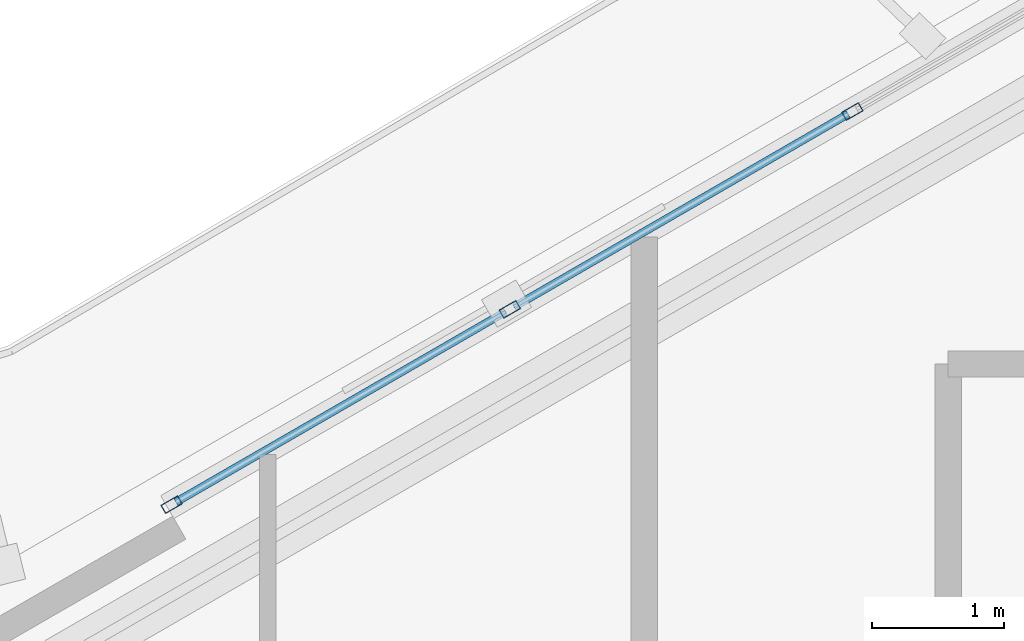
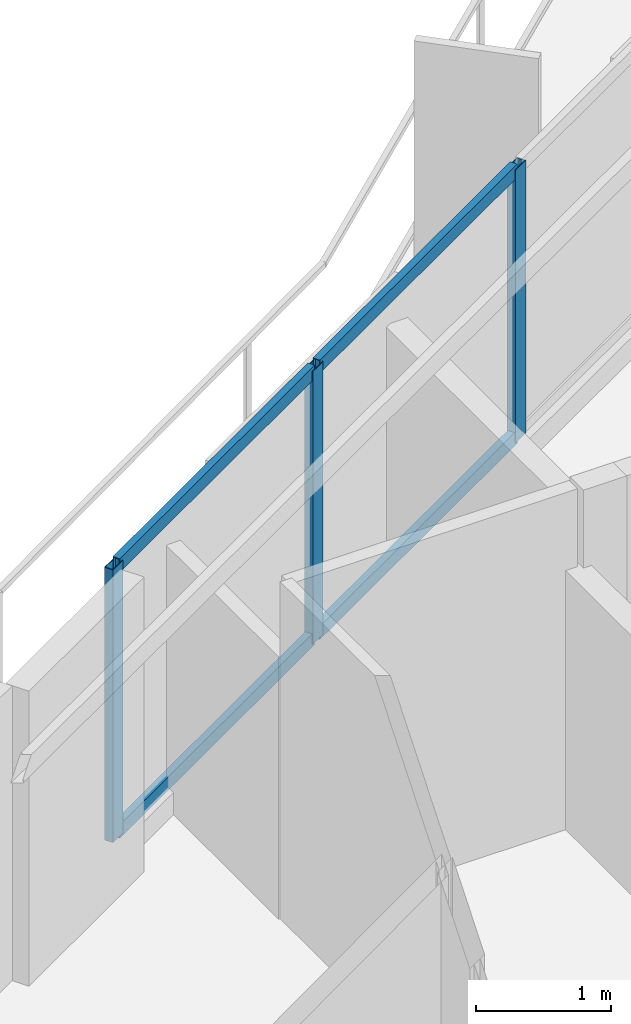
# One storey, part 7 of 18: 7 members, 1 element without a shape of its own.
"""IFC4 building model written with IfcOpenShell, lengths in metres."""

from ifc_helpers import new_model, si_unit, direction, frame, origin, origin_2d, place, context, subcontext, project, spatial, hollow_rectangle, extrude, material, layer, layer_set, material_profile, profile_set, type_object, element, aggregate, save


model = new_model("IFC4")

# Units and contexts
model_context = context("Model", 3, precision=1e-05, world=origin(), true_north=direction((0.0, 1.0)))
body_context = subcontext(model_context, "Body", "Model", "MODEL_VIEW")
ifc_project = project(units=[si_unit("LENGTHUNIT", "METRE"), si_unit("AREAUNIT", "SQUARE_METRE"), si_unit("VOLUMEUNIT", "CUBIC_METRE"), si_unit("PLANEANGLEUNIT", "RADIAN"), si_unit("MASSUNIT", "GRAM", prefix="KILO")], contexts=[model_context])

# Site, building, storey
site_placement = place(None, origin())
site = spatial("IfcSite", under=ifc_project, at=site_placement, CompositionType="ELEMENT")
building_placement = place(site_placement, origin())
building = spatial("IfcBuilding", under=site, at=building_placement, Name="Mersakhor Tower and Convention Hall", CompositionType="ELEMENT")
storey_placement = place(building_placement, frame((0.0, 0.0, 52.199951171875)))
storey = spatial("IfcBuildingStorey", under=building, at=storey_placement, Name="L14", CompositionType="ELEMENT", Elevation=52.199951171875)

# Curtain wall, members
ifc_material_1 = material(Name="Dark solar low-E aluminium curtain wall", Category="aluminium")
ifc_layer = layer(ifc_material_1, 0.159912109375)
ifc_layer_set = layer_set([ifc_layer], Name="Dark solar low-E aluminium curtain wall")
curtain_wall_type = type_object("IfcCurtainWallType", Name="CW-SYS-01", PredefinedType="USERDEFINED", material=ifc_layer_set)
curtain_wall_placement = place(storey_placement, origin())
curtain_wall = element("IfcCurtainWall", 1, at=curtain_wall_placement, inside=storey, type_object=curtain_wall_type, Name="L14 Dark-Glass Curtain Wall F1-B2", ObjectType="CURTAIN WALL", PredefinedType="USERDEFINED")
ifc_material_2 = material(Name="Anodised aluminium EN AW-6063 T6", Category="aluminium")
ifc_material_profile_1 = material_profile(ifc_material_2, hollow_rectangle(XDim=0.074951171875, YDim=0.14990234375, WallThickness=0.00634765625, at=origin_2d()), Name="RHS 150x75x6.3")
ifc_profile_set_1 = profile_set([ifc_material_profile_1], Name="Anodised aluminium EN AW-6063 T6")
member_type_1 = type_object("IfcMemberType", Name="CWM-150x75", PredefinedType="MULLION", material=ifc_profile_set_1)
member_1_placement = place(storey_placement, frame((16.423095703125, 36.635986328125, 0.199951171875), z_axis=(0.0, 0.0, 1.0), x_axis=(-0.50000344889, 0.866023412558, 0.0)))
member_1 = element("IfcMember", 2, at=member_1_placement, type_object=member_type_1, Name="CW-01 mullion 1", PredefinedType="MULLION", context=body_context, shape_type="SweptSolid", body=[
    extrude(hollow_rectangle(XDim=0.074951171875, YDim=0.14990234375, WallThickness=0.00634765625, at=origin_2d()), origin(), (0.0, 0.0, 1.0), 2.460205078125),
])
member_2_placement = place(storey_placement, frame((18.982666015625, 38.11376953125, 0.199951171875), z_axis=(0.0, 0.0, 1.0), x_axis=(-0.50000344889, 0.866023412558, 0.0)))
member_2 = element("IfcMember", 3, at=member_2_placement, type_object=member_type_1, Name="CW-01 mullion 2", PredefinedType="MULLION", context=body_context, shape_type="SweptSolid", body=[
    extrude(hollow_rectangle(XDim=0.074951171875, YDim=0.14990234375, WallThickness=0.00634765625, at=origin_2d()), origin(), (0.0, 0.0, 1.0), 2.460205078125),
])
member_3_placement = place(storey_placement, frame((21.574951171875, 39.610595703125, 0.199951171875), z_axis=(0.0, 0.0, 1.0), x_axis=(-0.50000344889, 0.866023412558, 0.0)))
member_3 = element("IfcMember", 4, at=member_3_placement, type_object=member_type_1, Name="CW-01 mullion 3", PredefinedType="MULLION", context=body_context, shape_type="SweptSolid", body=[
    extrude(hollow_rectangle(XDim=0.074951171875, YDim=0.14990234375, WallThickness=0.00634765625, at=origin_2d()), origin(), (0.0, 0.0, 1.0), 2.460205078125),
])
ifc_material_3 = material(Name="Anodised aluminium EN AW-6063 T6", Category="aluminium")
ifc_material_profile_2 = material_profile(ifc_material_3, hollow_rectangle(XDim=0.06005859375, YDim=0.1201171875, WallThickness=0.0048828125, at=origin_2d()), Name="RHS 120x60x5")
ifc_profile_set_2 = profile_set([ifc_material_profile_2], Name="Anodised aluminium EN AW-6063 T6")
member_type_2 = type_object("IfcMemberType", Name="CWT-120x60", PredefinedType="USERDEFINED", material=ifc_profile_set_2)
member_4_placement = place(storey_placement, frame((16.45556640625, 36.65478515625, 0.22998046875), z_axis=(0.866002100865, 0.500040359669, 0.0), x_axis=(-0.500040359669, 0.866002100865, 0.0)))
member_4 = element("IfcMember", 5, at=member_4_placement, type_object=member_type_2, Name="CW-01 transom 1.1", ObjectType="TRANSOM", PredefinedType="USERDEFINED", context=body_context, shape_type="SweptSolid", body=[
    extrude(hollow_rectangle(XDim=0.06005859375, YDim=0.1201171875, WallThickness=0.0048828125, at=origin_2d()), origin(), (0.0, 0.0, 1.0), 2.880615234375),
])
member_5_placement = place(storey_placement, frame((16.45556640625, 36.65478515625, 2.630126953125), z_axis=(0.866002100865, 0.500040359669, 0.0), x_axis=(-0.500040359669, 0.866002100865, 0.0)))
member_5 = element("IfcMember", 6, at=member_5_placement, type_object=member_type_2, Name="CW-01 transom 1.2", ObjectType="TRANSOM", PredefinedType="USERDEFINED", context=body_context, shape_type="SweptSolid", body=[
    extrude(hollow_rectangle(XDim=0.06005859375, YDim=0.1201171875, WallThickness=0.0048828125, at=origin_2d()), origin(), (0.0, 0.0, 1.0), 2.880615234375),
])
member_6_placement = place(storey_placement, frame((19.01513671875, 38.132568359375, 0.22998046875), z_axis=(0.866015622527, 0.500016941252, 0.0), x_axis=(-0.500016941252, 0.866015622527, 0.0)))
member_6 = element("IfcMember", 7, at=member_6_placement, type_object=member_type_2, Name="CW-01 transom 2.1", ObjectType="TRANSOM", PredefinedType="USERDEFINED", context=body_context, shape_type="SweptSolid", body=[
    extrude(hollow_rectangle(XDim=0.06005859375, YDim=0.1201171875, WallThickness=0.0048828125, at=origin_2d()), origin(), (0.0, 0.0, 1.0), 2.91845703125),
])
member_7_placement = place(storey_placement, frame((19.01513671875, 38.132568359375, 2.630126953125), z_axis=(0.866015622527, 0.500016941252, 0.0), x_axis=(-0.500016941252, 0.866015622527, 0.0)))
member_7 = element("IfcMember", 8, at=member_7_placement, type_object=member_type_2, Name="CW-01 transom 2.2", ObjectType="TRANSOM", PredefinedType="USERDEFINED", context=body_context, shape_type="SweptSolid", body=[
    extrude(hollow_rectangle(XDim=0.06005859375, YDim=0.1201171875, WallThickness=0.0048828125, at=origin_2d()), origin(), (0.0, 0.0, 1.0), 2.91845703125),
])
aggregate(curtain_wall, [member_1, member_2, member_3, member_4, member_5, member_6, member_7])

save(model, "model.ifc")
